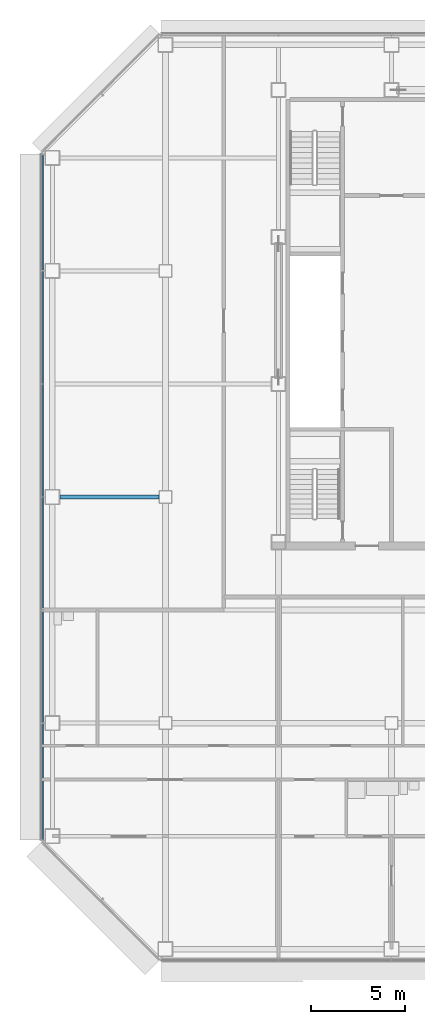
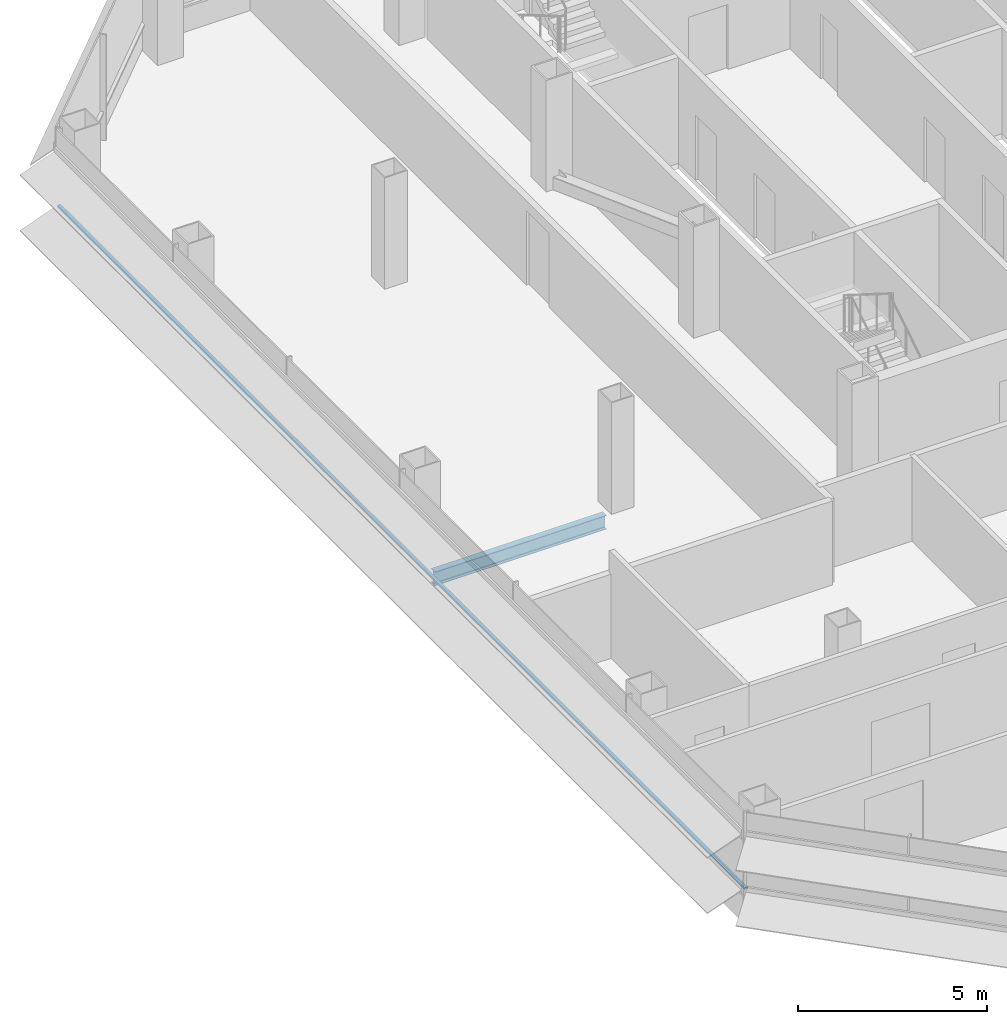
# One storey, part 5 of 25: 1 beam, 1 member, 1 element without a shape of its own.
"""IFC4 building model written with IfcOpenShell, lengths in metres."""

from ifc_helpers import new_model, si_unit, direction, frame, origin, origin_2d, place, context, subcontext, project, spatial, rectangle, i_section, extrude, material, material_profile, profile_set, type_object, element, aggregate, save


model = new_model("IFC4")

# Units and contexts
model_context = context("Model", 3, precision=1e-05, world=origin(), true_north=direction((0.0, 1.0)))
body_context = subcontext(model_context, "Body", "Model", "MODEL_VIEW")
ifc_project = project(units=[si_unit("LENGTHUNIT", "METRE"), si_unit("AREAUNIT", "SQUARE_METRE"), si_unit("VOLUMEUNIT", "CUBIC_METRE"), si_unit("PLANEANGLEUNIT", "RADIAN"), si_unit("MASSUNIT", "GRAM", prefix="KILO")], contexts=[model_context])

# Site, building, storey
site_placement = place(None, origin())
site = spatial("IfcSite", under=ifc_project, at=site_placement, CompositionType="ELEMENT")
building_placement = place(site_placement, origin())
building = spatial("IfcBuilding", under=site, at=building_placement, Name="Sorahane Residences", CompositionType="ELEMENT")
storey_placement = place(building_placement, frame((0.0, 0.0, 123.199951171875)))
storey = spatial("IfcBuildingStorey", under=building, at=storey_placement, Name="L27", CompositionType="ELEMENT", Elevation=123.199951171875)

# Curtain wall, member
ifc_material_1 = material(Name="Dark low-e glass and black anodised aluminium", Category="aluminium")
curtain_wall_type = type_object("IfcCurtainWallType", Name="Curtain wall CW-1 Typical unitised wall", PredefinedType="NOTDEFINED", material=ifc_material_1)
curtain_wall_placement = place(storey_placement, origin())
curtain_wall = element("IfcCurtainWall", 1, at=curtain_wall_placement, inside=storey, type_object=curtain_wall_type, Name="CW-1 curtain wall L27 W1", PredefinedType="NOTDEFINED")
ifc_material_2 = material(Name="Black anodised aluminium", Category="aluminium")
ifc_material_profile_1 = material_profile(ifc_material_2, rectangle(XDim=0.10009765625, YDim=0.06005859375, at=origin_2d()), Name="Curtain wall transom CW-1 black anodised aluminium 60x100")
ifc_profile_set_1 = profile_set([ifc_material_profile_1], Name="Black anodised aluminium")
member_type = type_object("IfcMemberType", Name="Curtain wall transom CW-1 black anodised aluminium 60x100", PredefinedType="USERDEFINED", material=ifc_profile_set_1)
member_placement = place(storey_placement, frame((-6.530029296875, 42.198486328125, 0.900146484375), z_axis=(0.0, -1.0, 0.0), x_axis=(1.0, 0.0, 0.0)))
member = element("IfcMember", 2, at=member_placement, type_object=member_type, Name="CW-1 transom L27 W1", ObjectType="TRANSOM", PredefinedType="USERDEFINED", context=body_context, shape_type="SweptSolid", body=[
    extrude(rectangle(XDim=0.10009765625, YDim=0.06005859375, at=origin_2d()), origin(), (0.0, 0.0, 1.0), 36.39697265625),
])
aggregate(curtain_wall, [member])

# Beam
ifc_material_3 = material(Name="Steel Q355B", Category="steel")
ifc_material_profile_2 = material_profile(ifc_material_3, i_section(OverallWidth=0.199951171875, OverallDepth=0.449951171875, WebThickness=0.009033203125, FlangeThickness=0.013916015625, FilletRadius=0.02001953125, at=origin_2d()), Name="HN 450x200x9x14")
ifc_profile_set_2 = profile_set([ifc_material_profile_2], Name="Steel Q355B")
beam_type = type_object("IfcBeamType", Name="Steel floor beam HN 450x200x9x14 Q355B", PredefinedType="BEAM", material=ifc_profile_set_2)
beam_placement = place(storey_placement, frame((-5.60009765625, 24.0, -0.405029296875), z_axis=(1.0, 0.0, 0.0), x_axis=(0.0, 1.0, 0.0)))
element("IfcBeam", 3, at=beam_placement, inside=storey, type_object=beam_type, Name="Beam L27 011", PredefinedType="BEAM", context=body_context, shape_type="SweptSolid", body=[
    extrude(i_section(OverallWidth=0.199951171875, OverallDepth=0.449951171875, WebThickness=0.009033203125, FlangeThickness=0.013916015625, FilletRadius=0.02001953125, at=origin_2d()), origin(), (0.0, 0.0, 1.0), 5.25),
])

save(model, "model.ifc")
